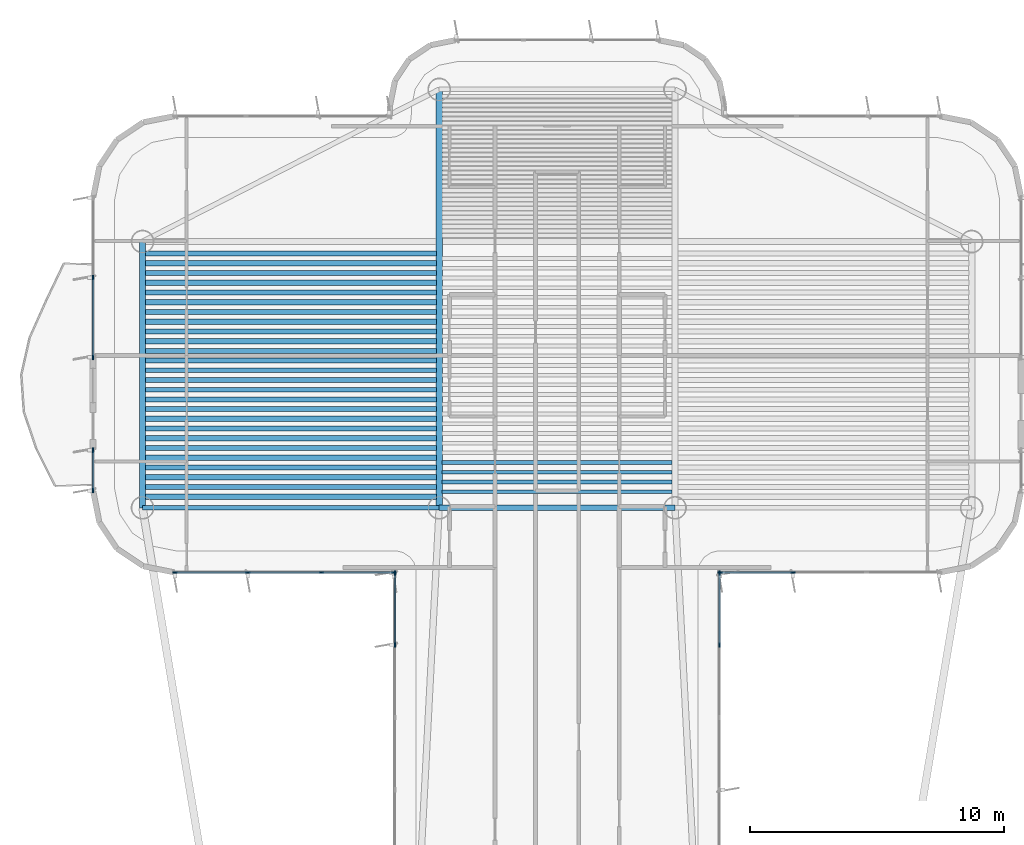
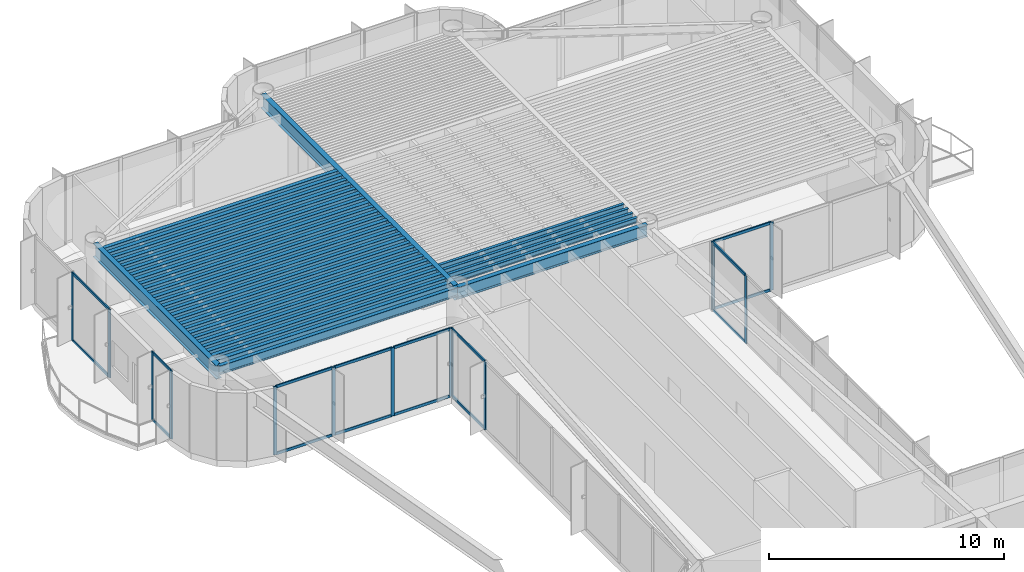
# One storey, part 5 of 16: 34 beams, 30 members, 6 elements without a shape of their own.
"""IFC4 building model written with IfcOpenShell, lengths in metres."""

from ifc_helpers import new_model, si_unit, direction, frame, origin, origin_2d, place, context, subcontext, project, spatial, rectangle, i_section, extrude, source, transform, mapped, material, layer, layer_set, material_profile, profile_set, type_object, element, aggregate, save


model = new_model("IFC4")

# Units and contexts
model_context = context("Model", 3, precision=1e-05, world=origin(), true_north=direction((0.0, 1.0)))
body_context = subcontext(model_context, "Body", "Model", "MODEL_VIEW")
ifc_project = project(units=[si_unit("LENGTHUNIT", "METRE"), si_unit("AREAUNIT", "SQUARE_METRE"), si_unit("VOLUMEUNIT", "CUBIC_METRE"), si_unit("PLANEANGLEUNIT", "RADIAN"), si_unit("MASSUNIT", "GRAM", prefix="KILO")], contexts=[model_context])

# Site, building, storey
site_placement = place(None, origin())
site = spatial("IfcSite", under=ifc_project, at=site_placement, CompositionType="ELEMENT")
building_placement = place(site_placement, origin())
building = spatial("IfcBuilding", under=site, at=building_placement, Name="Brelvock Crest Care Tower", CompositionType="ELEMENT")
storey_placement = place(building_placement, frame((0.0, 0.0, 223.02001953125)))
storey = spatial("IfcBuildingStorey", under=building, at=storey_placement, Name="L56", CompositionType="ELEMENT", Elevation=223.02001953125)

# Beams
ifc_material_1 = material(Name="Steel Grade 350", Category="steel")
ifc_material_profile_1 = material_profile(ifc_material_1, i_section(OverallWidth=0.25, OverallDepth=0.699951171875, WebThickness=0.011962890625, FlangeThickness=0.02001953125, at=origin_2d()), Name="700WB150")
ifc_profile_set_1 = profile_set([ifc_material_profile_1], Name="Steel Grade 350")
beam_type_1 = type_object("IfcBeamType", Name="BM-G4", PredefinedType="BEAM", material=ifc_profile_set_1)
shared_shape_1 = source(origin(), body_context, "Body", "SweptSolid", [
    extrude(i_section(OverallWidth=0.25, OverallDepth=0.699951171875, WebThickness=0.011962890625, FlangeThickness=0.02001953125, at=origin_2d()), origin(), (0.0, 0.0, 1.0), 10.5),
])
beam_1_placement = place(storey_placement, frame((19.64990234375, 43.949951171875, 3.179931640625), z_axis=(0.0, 1.0, 0.0), x_axis=(-1.0, 0.0, 0.0)))
element("IfcBeam", 1, at=beam_1_placement, inside=storey, type_object=beam_type_1, Name="BM-TWR-L56-01", PredefinedType="BEAM", context=body_context, shape_type="MappedRepresentation", body=[
    mapped(shared_shape_1, transform((0.0, 0.0, 0.0), x_axis=(1.0, 0.0, 0.0), y_axis=(0.0, 1.0, 0.0), z_axis=(0.0, 0.0, 1.0), scale=1.0)),
])
ifc_material_profile_2 = material_profile(ifc_material_1, i_section(OverallWidth=0.22900390625, OverallDepth=0.612060546875, WebThickness=0.011962890625, FlangeThickness=0.01953125, FilletRadius=0.013916015625, at=origin_2d()), Name="610UB125")
ifc_profile_set_2 = profile_set([ifc_material_profile_2], Name="Steel Grade 350")
beam_type_2 = type_object("IfcBeamType", Name="BM-G1", PredefinedType="BEAM", material=ifc_profile_set_2)
shared_shape_2 = source(origin(), body_context, "Body", "SweptSolid", [
    extrude(i_section(OverallWidth=0.22900390625, OverallDepth=0.612060546875, WebThickness=0.011962890625, FlangeThickness=0.01953125, FilletRadius=0.013916015625, at=origin_2d()), origin(), (0.0, 0.0, 1.0), 9.2998046875),
])
beam_2_placement = place(storey_placement, frame((31.35009765625, 43.949951171875, 3.223876953125), z_axis=(1.0, 0.0, 0.0), x_axis=(0.0, 1.0, 0.0)))
element("IfcBeam", 2, at=beam_2_placement, inside=storey, type_object=beam_type_2, Name="BM-TWR-L56-05", PredefinedType="BEAM", context=body_context, shape_type="MappedRepresentation", body=[
    mapped(shared_shape_2, transform((0.0, 0.0, 0.0), x_axis=(1.0, 0.0, 0.0), y_axis=(0.0, 1.0, 0.0), z_axis=(0.0, 0.0, 1.0), scale=1.0)),
])
ifc_material_profile_3 = material_profile(ifc_material_1, i_section(OverallWidth=0.14599609375, OverallDepth=0.256103515625, WebThickness=0.00634765625, FlangeThickness=0.010986328125, FilletRadius=0.0087890625, at=origin_2d()), Name="250UB37.3")
ifc_profile_set_3 = profile_set([ifc_material_profile_3], Name="Steel Grade 350")
beam_type_3 = type_object("IfcBeamType", Name="BM-J3", PredefinedType="JOIST", material=ifc_profile_set_3)
shared_shape_3 = source(origin(), body_context, "Body", "SweptSolid", [
    extrude(i_section(OverallWidth=0.14599609375, OverallDepth=0.256103515625, WebThickness=0.00634765625, FlangeThickness=0.010986328125, FilletRadius=0.0087890625, at=origin_2d()), origin(), (0.0, 0.0, 1.0), 9.06982421875),
])
for number, where, z_axis, x_axis, name in (
    (3, (31.465087890625, 44.58251953125, 3.402099609375), (1.0, 0.0, 0.0), (0.0, 1.0, 0.0), "BM-JH-L56-1"),
    (4, (31.465087890625, 44.9658203125, 3.402099609375), (1.0, 0.0, 0.0), (0.0, 1.0, 0.0), "BM-JH-L56-2"),
    (5, (31.465087890625, 45.34912109375, 3.402099609375), (1.0, 0.0, 0.0), (0.0, 1.0, 0.0), "BM-JH-L56-3"),
    (6, (31.465087890625, 45.732421875, 3.402099609375), (1.0, 0.0, 0.0), (0.0, 1.0, 0.0), "BM-JH-L56-4"),
):
    element("IfcBeam", number, at=place(storey_placement, frame(where, z_axis=z_axis, x_axis=x_axis)), inside=storey, type_object=beam_type_3, Name=name, PredefinedType="JOIST", context=body_context, shape_type="MappedRepresentation", body=[
        mapped(shared_shape_3, transform((0.0, 0.0, 0.0), x_axis=(1.0, 0.0, 0.0), y_axis=(0.0, 1.0, 0.0), z_axis=(0.0, 0.0, 1.0), scale=1.0)),
    ])
ifc_material_profile_4 = material_profile(ifc_material_1, i_section(OverallWidth=0.19091796875, OverallDepth=0.4599609375, WebThickness=0.010009765625, FlangeThickness=0.01611328125, FilletRadius=0.011474609375, at=origin_2d()), Name="460UB82.1")
ifc_profile_set_4 = profile_set([ifc_material_profile_4], Name="Steel Grade 350")
beam_type_4 = type_object("IfcBeamType", Name="BM-G3", PredefinedType="BEAM", material=ifc_profile_set_4)
shared_shape_4 = source(origin(), body_context, "Body", "SweptSolid", [
    extrude(i_section(OverallWidth=0.19091796875, OverallDepth=0.4599609375, WebThickness=0.010009765625, FlangeThickness=0.01611328125, FilletRadius=0.011474609375, at=origin_2d()), origin(), (0.0, 0.0, 1.0), 11.47021484375),
])
for number, where, z_axis, x_axis, name in (
    (7, (19.764892578125, 44.7744140625, 3.300048828125), (1.0, 0.0, 0.0), (0.0, 1.0, 0.0), "BM-JW-L56-2"),
    (8, (19.764892578125, 45.540771484375, 3.300048828125), (1.0, 0.0, 0.0), (0.0, 1.0, 0.0), "BM-JW-L56-4"),
    (9, (19.764892578125, 46.307373046875, 3.300048828125), (1.0, 0.0, 0.0), (0.0, 1.0, 0.0), "BM-JW-L56-6"),
    (10, (19.764892578125, 47.07373046875, 3.300048828125), (1.0, 0.0, 0.0), (0.0, 1.0, 0.0), "BM-JW-L56-8"),
    (11, (19.764892578125, 47.84033203125, 3.300048828125), (1.0, 0.0, 0.0), (0.0, 1.0, 0.0), "BM-JW-L56-10"),
    (12, (19.764892578125, 48.606689453125, 3.300048828125), (1.0, 0.0, 0.0), (0.0, 1.0, 0.0), "BM-JW-L56-12"),
    (13, (19.764892578125, 49.373291015625, 3.300048828125), (1.0, 0.0, 0.0), (0.0, 1.0, 0.0), "BM-JW-L56-14"),
    (14, (19.764892578125, 50.139892578125, 3.300048828125), (1.0, 0.0, 0.0), (0.0, 1.0, 0.0), "BM-JW-L56-16"),
    (15, (19.764892578125, 50.90625, 3.300048828125), (1.0, 0.0, 0.0), (0.0, 1.0, 0.0), "BM-JW-L56-18"),
    (16, (19.764892578125, 51.6728515625, 3.300048828125), (1.0, 0.0, 0.0), (0.0, 1.0, 0.0), "BM-JW-L56-20"),
    (17, (19.764892578125, 52.439208984375, 3.300048828125), (1.0, 0.0, 0.0), (0.0, 1.0, 0.0), "BM-JW-L56-22"),
    (18, (19.764892578125, 53.205810546875, 3.300048828125), (1.0, 0.0, 0.0), (0.0, 1.0, 0.0), "BM-JW-L56-24"),
    (19, (19.764892578125, 53.972412109375, 3.300048828125), (1.0, 0.0, 0.0), (0.0, 1.0, 0.0), "BM-JW-L56-26"),
):
    element("IfcBeam", number, at=place(storey_placement, frame(where, z_axis=z_axis, x_axis=x_axis)), inside=storey, type_object=beam_type_4, Name=name, PredefinedType="BEAM", context=body_context, shape_type="MappedRepresentation", body=[
        mapped(shared_shape_4, transform((0.0, 0.0, 0.0), x_axis=(1.0, 0.0, 0.0), y_axis=(0.0, 1.0, 0.0), z_axis=(0.0, 0.0, 1.0), scale=1.0)),
    ])
ifc_material_profile_5 = material_profile(ifc_material_1, i_section(OverallWidth=0.208984375, OverallDepth=0.532958984375, WebThickness=0.01025390625, FlangeThickness=0.015625, FilletRadius=0.013916015625, at=origin_2d()), Name="530UB92.4")
ifc_profile_set_5 = profile_set([ifc_material_profile_5], Name="Steel Grade 350")
beam_type_5 = type_object("IfcBeamType", Name="BM-G2", PredefinedType="BEAM", material=ifc_profile_set_5)
shared_shape_5 = source(origin(), body_context, "Body", "SweptSolid", [
    extrude(i_section(OverallWidth=0.208984375, OverallDepth=0.532958984375, WebThickness=0.01025390625, FlangeThickness=0.015625, FilletRadius=0.013916015625, at=origin_2d()), origin(), (0.0, 0.0, 1.0), 11.47021484375),
])
for number, where, z_axis, x_axis, name in (
    (20, (19.764892578125, 44.39111328125, 3.263427734375), (1.0, 0.0, 0.0), (0.0, 1.0, 0.0), "BM-JW-L56-1"),
    (21, (19.764892578125, 45.157470703125, 3.263427734375), (1.0, 0.0, 0.0), (0.0, 1.0, 0.0), "BM-JW-L56-3"),
    (22, (19.764892578125, 45.924072265625, 3.263427734375), (1.0, 0.0, 0.0), (0.0, 1.0, 0.0), "BM-JW-L56-5"),
    (23, (19.764892578125, 46.6904296875, 3.263427734375), (1.0, 0.0, 0.0), (0.0, 1.0, 0.0), "BM-JW-L56-7"),
    (24, (19.764892578125, 47.45703125, 3.263427734375), (1.0, 0.0, 0.0), (0.0, 1.0, 0.0), "BM-JW-L56-9"),
    (25, (19.764892578125, 48.223388671875, 3.263427734375), (1.0, 0.0, 0.0), (0.0, 1.0, 0.0), "BM-JW-L56-11"),
    (26, (19.764892578125, 48.989990234375, 3.263427734375), (1.0, 0.0, 0.0), (0.0, 1.0, 0.0), "BM-JW-L56-13"),
    (27, (19.764892578125, 49.756591796875, 3.263427734375), (1.0, 0.0, 0.0), (0.0, 1.0, 0.0), "BM-JW-L56-15"),
    (28, (19.764892578125, 50.52294921875, 3.263427734375), (1.0, 0.0, 0.0), (0.0, 1.0, 0.0), "BM-JW-L56-17"),
    (29, (19.764892578125, 51.28955078125, 3.263427734375), (1.0, 0.0, 0.0), (0.0, 1.0, 0.0), "BM-JW-L56-19"),
    (30, (19.764892578125, 52.055908203125, 3.263427734375), (1.0, 0.0, 0.0), (0.0, 1.0, 0.0), "BM-JW-L56-21"),
    (31, (19.764892578125, 52.822509765625, 3.263427734375), (1.0, 0.0, 0.0), (0.0, 1.0, 0.0), "BM-JW-L56-23"),
    (32, (19.764892578125, 53.589111328125, 3.263427734375), (1.0, 0.0, 0.0), (0.0, 1.0, 0.0), "BM-JW-L56-25"),
):
    element("IfcBeam", number, at=place(storey_placement, frame(where, z_axis=z_axis, x_axis=x_axis)), inside=storey, type_object=beam_type_5, Name=name, PredefinedType="BEAM", context=body_context, shape_type="MappedRepresentation", body=[
        mapped(shared_shape_5, transform((0.0, 0.0, 0.0), x_axis=(1.0, 0.0, 0.0), y_axis=(0.0, 1.0, 0.0), z_axis=(0.0, 0.0, 1.0), scale=1.0)),
    ])
ifc_material_profile_6 = material_profile(ifc_material_1, i_section(OverallWidth=0.19091796875, OverallDepth=0.4599609375, WebThickness=0.010009765625, FlangeThickness=0.01611328125, FilletRadius=0.011474609375, at=origin_2d()), Name="460UB82.1")
ifc_profile_set_6 = profile_set([ifc_material_profile_6], Name="Steel Grade 350")
beam_type_6 = type_object("IfcBeamType", Name="BM-SP2", PredefinedType="SPANDREL", material=ifc_profile_set_6)
shared_shape_6 = source(origin(), body_context, "Body", "SweptSolid", [
    extrude(i_section(OverallWidth=0.19091796875, OverallDepth=0.4599609375, WebThickness=0.010009765625, FlangeThickness=0.01611328125, FilletRadius=0.011474609375, at=origin_2d()), origin(), (0.0, 0.0, 1.0), 11.7001953125),
])
beam_3_placement = place(storey_placement, frame((19.64990234375, 43.949951171875, 3.300048828125), z_axis=(1.0, 0.0, 0.0), x_axis=(0.0, 1.0, 0.0)))
element("IfcBeam", 33, at=beam_3_placement, inside=storey, type_object=beam_type_6, Name="BM-TWR-L56-03", PredefinedType="SPANDREL", context=body_context, shape_type="MappedRepresentation", body=[
    mapped(shared_shape_6, transform((0.0, 0.0, 0.0), x_axis=(1.0, 0.0, 0.0), y_axis=(0.0, 1.0, 0.0), z_axis=(0.0, 0.0, 1.0), scale=1.0)),
])
shared_shape_7 = source(origin(), body_context, "Body", "SweptSolid", [
    extrude(i_section(OverallWidth=0.25, OverallDepth=0.699951171875, WebThickness=0.011962890625, FlangeThickness=0.02001953125, at=origin_2d()), origin(), (0.0, 0.0, 1.0), 16.5),
])
beam_4_placement = place(storey_placement, frame((31.35009765625, 43.949951171875, 3.179931640625), z_axis=(0.0, 1.0, 0.0), x_axis=(-1.0, 0.0, 0.0)))
element("IfcBeam", 34, at=beam_4_placement, inside=storey, type_object=beam_type_1, Name="BM-TWR-L56-09", PredefinedType="BEAM", context=body_context, shape_type="MappedRepresentation", body=[
    mapped(shared_shape_7, transform((0.0, 0.0, 0.0), x_axis=(1.0, 0.0, 0.0), y_axis=(0.0, 1.0, 0.0), z_axis=(0.0, 0.0, 1.0), scale=1.0)),
])

# Curtain wall, members
ifc_material_2 = material(Name="Dark Glass Double Glazed Low-E", Category="glass")
ifc_layer = layer(ifc_material_2, 0.239990234375, Name="CWS-5")
ifc_layer_set = layer_set([ifc_layer], Name="Dark Glass Double Glazed Low-E")
curtain_wall_type = type_object("IfcCurtainWallType", Name="CWS-5", PredefinedType="NOTDEFINED", material=ifc_layer_set)
curtain_wall_1_placement = place(storey_placement, origin())
curtain_wall_1 = element("IfcCurtainWall", 35, at=curtain_wall_1_placement, inside=storey, type_object=curtain_wall_type, Name="L56 Curtain Wall E11", PredefinedType="NOTDEFINED")
ifc_material_3 = material(Name="Aluminium 6063-T6", Category="aluminium")
ifc_material_profile_7 = material_profile(ifc_material_3, rectangle(XDim=0.06005859375, YDim=0.179931640625, at=origin_2d()), Name="ALU60x180")
ifc_profile_set_7 = profile_set([ifc_material_profile_7], Name="Aluminium 6063-T6")
member_type_1 = type_object("IfcMemberType", Name="CWM-2", PredefinedType="MULLION", material=ifc_profile_set_7)
shared_shape_8 = source(origin(), body_context, "Body", "SweptSolid", [
    extrude(rectangle(XDim=0.06005859375, YDim=0.179931640625, at=origin_2d()), origin(), (0.0, 0.0, 1.0), 3.530029296875),
])
member_1_placement = place(storey_placement, frame((29.60009765625, 38.54296875, 0.0), z_axis=(0.0, 0.0, 1.0), x_axis=(-1.0, 0.0, 0.0)))
member_1 = element("IfcMember", 36, at=member_1_placement, type_object=member_type_1, Name="CW-5 mullion 7", PredefinedType="MULLION", context=body_context, shape_type="MappedRepresentation", body=[
    mapped(shared_shape_8, transform((0.0, 0.0, 0.0), x_axis=(1.0, 0.0, 0.0), y_axis=(0.0, 1.0, 0.0), z_axis=(0.0, 0.0, 1.0), scale=1.0)),
])
member_2_placement = place(storey_placement, frame((29.60009765625, 41.3701171875, 0.0), z_axis=(0.0, 0.0, 1.0), x_axis=(-1.0, 0.0, 0.0)))
member_2 = element("IfcMember", 37, at=member_2_placement, type_object=member_type_1, Name="CW-5 mullion 8", PredefinedType="MULLION", context=body_context, shape_type="MappedRepresentation", body=[
    mapped(shared_shape_8, transform((0.0, 0.0, 0.0), x_axis=(1.0, 0.0, 0.0), y_axis=(0.0, 1.0, 0.0), z_axis=(0.0, 0.0, 1.0), scale=1.0)),
])

curtain_wall_2_placement = place(storey_placement, origin())
curtain_wall_2 = element("IfcCurtainWall", 38, at=curtain_wall_2_placement, inside=storey, type_object=curtain_wall_type, Name="L56 Curtain Wall E12", PredefinedType="NOTDEFINED")
member_3_placement = place(storey_placement, frame((29.570068359375, 41.39990234375, 0.0), z_axis=(0.0, 0.0, 1.0), x_axis=(0.0, -1.0, 0.0)))
member_3 = element("IfcMember", 39, at=member_3_placement, type_object=member_type_1, Name="CW-5 mullion 1", PredefinedType="MULLION", context=body_context, shape_type="MappedRepresentation", body=[
    mapped(shared_shape_8, transform((0.0, 0.0, 0.0), x_axis=(1.0, 0.0, 0.0), y_axis=(0.0, 1.0, 0.0), z_axis=(0.0, 0.0, 1.0), scale=1.0)),
])
member_4_placement = place(storey_placement, frame((26.699951171875, 41.39990234375, 0.0), z_axis=(0.0, 0.0, 1.0), x_axis=(0.0, -1.0, 0.0)))
member_4 = element("IfcMember", 40, at=member_4_placement, type_object=member_type_1, Name="CW-5 mullion 2", PredefinedType="MULLION", context=body_context, shape_type="MappedRepresentation", body=[
    mapped(shared_shape_8, transform((0.0, 0.0, 0.0), x_axis=(1.0, 0.0, 0.0), y_axis=(0.0, 1.0, 0.0), z_axis=(0.0, 0.0, 1.0), scale=1.0)),
])
member_5_placement = place(storey_placement, frame((23.800048828125, 41.39990234375, 0.0), z_axis=(0.0, 0.0, 1.0), x_axis=(0.0, -1.0, 0.0)))
member_5 = element("IfcMember", 41, at=member_5_placement, type_object=member_type_1, Name="CW-5 mullion 3", PredefinedType="MULLION", context=body_context, shape_type="MappedRepresentation", body=[
    mapped(shared_shape_8, transform((0.0, 0.0, 0.0), x_axis=(1.0, 0.0, 0.0), y_axis=(0.0, 1.0, 0.0), z_axis=(0.0, 0.0, 1.0), scale=1.0)),
])
member_6_placement = place(storey_placement, frame((20.929931640625, 41.39990234375, 0.0), z_axis=(0.0, 0.0, 1.0), x_axis=(0.0, -1.0, 0.0)))
member_6 = element("IfcMember", 42, at=member_6_placement, type_object=member_type_1, Name="CW-5 mullion 4", PredefinedType="MULLION", context=body_context, shape_type="MappedRepresentation", body=[
    mapped(shared_shape_8, transform((0.0, 0.0, 0.0), x_axis=(1.0, 0.0, 0.0), y_axis=(0.0, 1.0, 0.0), z_axis=(0.0, 0.0, 1.0), scale=1.0)),
])

curtain_wall_3_placement = place(storey_placement, origin())
curtain_wall_3 = element("IfcCurtainWall", 43, at=curtain_wall_3_placement, inside=storey, type_object=curtain_wall_type, Name="L56 Curtain Wall E17A", PredefinedType="NOTDEFINED")
member_7_placement = place(storey_placement, frame((17.699951171875, 44.6298828125, 0.0), z_axis=(0.0, 0.0, 1.0), x_axis=(-1.0, 0.0, 0.0)))
member_7 = element("IfcMember", 44, at=member_7_placement, type_object=member_type_1, Name="CW-5 mullion 1", PredefinedType="MULLION", context=body_context, shape_type="MappedRepresentation", body=[
    mapped(shared_shape_8, transform((0.0, 0.0, 0.0), x_axis=(1.0, 0.0, 0.0), y_axis=(0.0, 1.0, 0.0), z_axis=(0.0, 0.0, 1.0), scale=1.0)),
])
member_8_placement = place(storey_placement, frame((17.699951171875, 46.219970703125, 0.0), z_axis=(0.0, 0.0, 1.0), x_axis=(-1.0, 0.0, 0.0)))
member_8 = element("IfcMember", 45, at=member_8_placement, type_object=member_type_1, Name="CW-5 mullion 2", PredefinedType="MULLION", context=body_context, shape_type="MappedRepresentation", body=[
    mapped(shared_shape_8, transform((0.0, 0.0, 0.0), x_axis=(1.0, 0.0, 0.0), y_axis=(0.0, 1.0, 0.0), z_axis=(0.0, 0.0, 1.0), scale=1.0)),
])

curtain_wall_4_placement = place(storey_placement, origin())
curtain_wall_4 = element("IfcCurtainWall", 46, at=curtain_wall_4_placement, inside=storey, type_object=curtain_wall_type, Name="L56 Curtain Wall E17B", PredefinedType="NOTDEFINED")
member_9_placement = place(storey_placement, frame((17.699951171875, 49.8798828125, 0.0), z_axis=(0.0, 0.0, 1.0), x_axis=(-1.0, 0.0, 0.0)))
member_9 = element("IfcMember", 47, at=member_9_placement, type_object=member_type_1, Name="CW-5 mullion 1", PredefinedType="MULLION", context=body_context, shape_type="MappedRepresentation", body=[
    mapped(shared_shape_8, transform((0.0, 0.0, 0.0), x_axis=(1.0, 0.0, 0.0), y_axis=(0.0, 1.0, 0.0), z_axis=(0.0, 0.0, 1.0), scale=1.0)),
])
member_10_placement = place(storey_placement, frame((17.699951171875, 53.02490234375, 0.0), z_axis=(0.0, 0.0, 1.0), x_axis=(-1.0, 0.0, 0.0)))
member_10 = element("IfcMember", 48, at=member_10_placement, type_object=member_type_1, Name="CW-5 mullion 2", PredefinedType="MULLION", context=body_context, shape_type="MappedRepresentation", body=[
    mapped(shared_shape_8, transform((0.0, 0.0, 0.0), x_axis=(1.0, 0.0, 0.0), y_axis=(0.0, 1.0, 0.0), z_axis=(0.0, 0.0, 1.0), scale=1.0)),
])

curtain_wall_5_placement = place(storey_placement, origin())
curtain_wall_5 = element("IfcCurtainWall", 49, at=curtain_wall_5_placement, inside=storey, type_object=curtain_wall_type, Name="L56 Curtain Wall E44", PredefinedType="NOTDEFINED")
member_11_placement = place(storey_placement, frame((45.300048828125, 41.39990234375, 0.0), z_axis=(0.0, 0.0, 1.0), x_axis=(0.0, -1.0, 0.0)))
member_11 = element("IfcMember", 50, at=member_11_placement, type_object=member_type_1, Name="CW-5 mullion 3", PredefinedType="MULLION", context=body_context, shape_type="MappedRepresentation", body=[
    mapped(shared_shape_8, transform((0.0, 0.0, 0.0), x_axis=(1.0, 0.0, 0.0), y_axis=(0.0, 1.0, 0.0), z_axis=(0.0, 0.0, 1.0), scale=1.0)),
])
member_12_placement = place(storey_placement, frame((42.429931640625, 41.39990234375, 0.0), z_axis=(0.0, 0.0, 1.0), x_axis=(0.0, -1.0, 0.0)))
member_12 = element("IfcMember", 51, at=member_12_placement, type_object=member_type_1, Name="CW-5 mullion 4", PredefinedType="MULLION", context=body_context, shape_type="MappedRepresentation", body=[
    mapped(shared_shape_8, transform((0.0, 0.0, 0.0), x_axis=(1.0, 0.0, 0.0), y_axis=(0.0, 1.0, 0.0), z_axis=(0.0, 0.0, 1.0), scale=1.0)),
])

curtain_wall_6_placement = place(storey_placement, origin())
curtain_wall_6 = element("IfcCurtainWall", 52, at=curtain_wall_6_placement, inside=storey, type_object=curtain_wall_type, Name="L56 Curtain Wall E45", PredefinedType="NOTDEFINED")
member_13_placement = place(storey_placement, frame((42.39990234375, 41.3701171875, 0.0), z_axis=(0.0, 0.0, 1.0), x_axis=(1.0, 0.0, 0.0)))
member_13 = element("IfcMember", 53, at=member_13_placement, type_object=member_type_1, Name="CW-5 mullion 1", PredefinedType="MULLION", context=body_context, shape_type="MappedRepresentation", body=[
    mapped(shared_shape_8, transform((0.0, 0.0, 0.0), x_axis=(1.0, 0.0, 0.0), y_axis=(0.0, 1.0, 0.0), z_axis=(0.0, 0.0, 1.0), scale=1.0)),
])
member_14_placement = place(storey_placement, frame((42.39990234375, 38.54296875, 0.0), z_axis=(0.0, 0.0, 1.0), x_axis=(1.0, 0.0, 0.0)))
member_14 = element("IfcMember", 54, at=member_14_placement, type_object=member_type_1, Name="CW-5 mullion 2", PredefinedType="MULLION", context=body_context, shape_type="MappedRepresentation", body=[
    mapped(shared_shape_8, transform((0.0, 0.0, 0.0), x_axis=(1.0, 0.0, 0.0), y_axis=(0.0, 1.0, 0.0), z_axis=(0.0, 0.0, 1.0), scale=1.0)),
])

# Member
ifc_material_profile_8 = material_profile(ifc_material_3, rectangle(XDim=0.06005859375, YDim=0.139892578125, at=origin_2d()), Name="ALU60x140")
ifc_profile_set_8 = profile_set([ifc_material_profile_8], Name="Aluminium 6063-T6")
member_type_2 = type_object("IfcMemberType", Name="CWT-2", PredefinedType="USERDEFINED", material=ifc_profile_set_8)
shared_shape_9 = source(origin(), body_context, "Body", "SweptSolid", [
    extrude(rectangle(XDim=0.06005859375, YDim=0.139892578125, at=origin_2d()), origin(), (0.0, 0.0, 1.0), 1.530029296875),
])
member_15_placement = place(storey_placement, frame((17.699951171875, 44.659912109375, 0.030029296875), z_axis=(0.0, 1.0, 0.0), x_axis=(-1.0, 0.0, 0.0)))
member_15 = element("IfcMember", 55, at=member_15_placement, type_object=member_type_2, Name="CW-5 transom 1.1", ObjectType="TRANSOM", PredefinedType="USERDEFINED", context=body_context, shape_type="MappedRepresentation", body=[
    mapped(shared_shape_9, transform((0.0, 0.0, 0.0), x_axis=(1.0, 0.0, 0.0), y_axis=(0.0, 1.0, 0.0), z_axis=(0.0, 0.0, 1.0), scale=1.0)),
])

member_16_placement = place(storey_placement, frame((17.699951171875, 44.659912109375, 3.5), z_axis=(0.0, 1.0, 0.0), x_axis=(-1.0, 0.0, 0.0)))
member_16 = element("IfcMember", 56, at=member_16_placement, type_object=member_type_2, Name="CW-5 transom 1.2", ObjectType="TRANSOM", PredefinedType="USERDEFINED", context=body_context, shape_type="MappedRepresentation", body=[
    mapped(shared_shape_9, transform((0.0, 0.0, 0.0), x_axis=(1.0, 0.0, 0.0), y_axis=(0.0, 1.0, 0.0), z_axis=(0.0, 0.0, 1.0), scale=1.0)),
])

aggregate(curtain_wall_3, [member_7, member_8, member_15, member_16])

shared_shape_10 = source(origin(), body_context, "Body", "SweptSolid", [
    extrude(rectangle(XDim=0.06005859375, YDim=0.139892578125, at=origin_2d()), origin(), (0.0, 0.0, 1.0), 2.767333984375),
])
member_17_placement = place(storey_placement, frame((29.60009765625, 38.57275390625, 0.030029296875), z_axis=(0.0, 1.0, 0.0), x_axis=(-1.0, 0.0, 0.0)))
member_17 = element("IfcMember", 57, at=member_17_placement, type_object=member_type_2, Name="CW-5 transom 7.1", ObjectType="TRANSOM", PredefinedType="USERDEFINED", context=body_context, shape_type="MappedRepresentation", body=[
    mapped(shared_shape_10, transform((0.0, 0.0, 0.0), x_axis=(1.0, 0.0, 0.0), y_axis=(0.0, 1.0, 0.0), z_axis=(0.0, 0.0, 1.0), scale=1.0)),
])

member_18_placement = place(storey_placement, frame((29.60009765625, 38.57275390625, 3.5), z_axis=(0.0, 1.0, 0.0), x_axis=(-1.0, 0.0, 0.0)))
member_18 = element("IfcMember", 58, at=member_18_placement, type_object=member_type_2, Name="CW-5 transom 7.2", ObjectType="TRANSOM", PredefinedType="USERDEFINED", context=body_context, shape_type="MappedRepresentation", body=[
    mapped(shared_shape_10, transform((0.0, 0.0, 0.0), x_axis=(1.0, 0.0, 0.0), y_axis=(0.0, 1.0, 0.0), z_axis=(0.0, 0.0, 1.0), scale=1.0)),
])

aggregate(curtain_wall_1, [member_1, member_2, member_17, member_18])

member_19_placement = place(storey_placement, frame((42.39990234375, 41.340087890625, 0.030029296875), z_axis=(0.0, -1.0, 0.0), x_axis=(1.0, 0.0, 0.0)))
member_19 = element("IfcMember", 59, at=member_19_placement, type_object=member_type_2, Name="CW-5 transom 1.1", ObjectType="TRANSOM", PredefinedType="USERDEFINED", context=body_context, shape_type="MappedRepresentation", body=[
    mapped(shared_shape_10, transform((0.0, 0.0, 0.0), x_axis=(1.0, 0.0, 0.0), y_axis=(0.0, 1.0, 0.0), z_axis=(0.0, 0.0, 1.0), scale=1.0)),
])

member_20_placement = place(storey_placement, frame((42.39990234375, 41.340087890625, 3.5), z_axis=(0.0, -1.0, 0.0), x_axis=(1.0, 0.0, 0.0)))
member_20 = element("IfcMember", 60, at=member_20_placement, type_object=member_type_2, Name="CW-5 transom 1.2", ObjectType="TRANSOM", PredefinedType="USERDEFINED", context=body_context, shape_type="MappedRepresentation", body=[
    mapped(shared_shape_10, transform((0.0, 0.0, 0.0), x_axis=(1.0, 0.0, 0.0), y_axis=(0.0, 1.0, 0.0), z_axis=(0.0, 0.0, 1.0), scale=1.0)),
])

aggregate(curtain_wall_6, [member_13, member_14, member_19, member_20])

shared_shape_11 = source(origin(), body_context, "Body", "SweptSolid", [
    extrude(rectangle(XDim=0.06005859375, YDim=0.139892578125, at=origin_2d()), origin(), (0.0, 0.0, 1.0), 2.81005859375),
])
member_21_placement = place(storey_placement, frame((29.5400390625, 41.39990234375, 0.030029296875), z_axis=(-1.0, 0.0, 0.0), x_axis=(0.0, -1.0, 0.0)))
member_21 = element("IfcMember", 61, at=member_21_placement, type_object=member_type_2, Name="CW-5 transom 1.1", ObjectType="TRANSOM", PredefinedType="USERDEFINED", context=body_context, shape_type="MappedRepresentation", body=[
    mapped(shared_shape_11, transform((0.0, 0.0, 0.0), x_axis=(1.0, 0.0, 0.0), y_axis=(0.0, 1.0, 0.0), z_axis=(0.0, 0.0, 1.0), scale=1.0)),
])

member_22_placement = place(storey_placement, frame((29.5400390625, 41.39990234375, 3.5), z_axis=(-1.0, 0.0, 0.0), x_axis=(0.0, -1.0, 0.0)))
member_22 = element("IfcMember", 62, at=member_22_placement, type_object=member_type_2, Name="CW-5 transom 1.2", ObjectType="TRANSOM", PredefinedType="USERDEFINED", context=body_context, shape_type="MappedRepresentation", body=[
    mapped(shared_shape_11, transform((0.0, 0.0, 0.0), x_axis=(1.0, 0.0, 0.0), y_axis=(0.0, 1.0, 0.0), z_axis=(0.0, 0.0, 1.0), scale=1.0)),
])

member_23_placement = place(storey_placement, frame((23.77001953125, 41.39990234375, 0.030029296875), z_axis=(-1.0, 0.0, 0.0), x_axis=(0.0, -1.0, 0.0)))
member_23 = element("IfcMember", 63, at=member_23_placement, type_object=member_type_2, Name="CW-5 transom 3.1", ObjectType="TRANSOM", PredefinedType="USERDEFINED", context=body_context, shape_type="MappedRepresentation", body=[
    mapped(shared_shape_11, transform((0.0, 0.0, 0.0), x_axis=(1.0, 0.0, 0.0), y_axis=(0.0, 1.0, 0.0), z_axis=(0.0, 0.0, 1.0), scale=1.0)),
])

member_24_placement = place(storey_placement, frame((23.77001953125, 41.39990234375, 3.5), z_axis=(-1.0, 0.0, 0.0), x_axis=(0.0, -1.0, 0.0)))
member_24 = element("IfcMember", 64, at=member_24_placement, type_object=member_type_2, Name="CW-5 transom 3.2", ObjectType="TRANSOM", PredefinedType="USERDEFINED", context=body_context, shape_type="MappedRepresentation", body=[
    mapped(shared_shape_11, transform((0.0, 0.0, 0.0), x_axis=(1.0, 0.0, 0.0), y_axis=(0.0, 1.0, 0.0), z_axis=(0.0, 0.0, 1.0), scale=1.0)),
])

member_25_placement = place(storey_placement, frame((45.27001953125, 41.39990234375, 0.030029296875), z_axis=(-1.0, 0.0, 0.0), x_axis=(0.0, -1.0, 0.0)))
member_25 = element("IfcMember", 65, at=member_25_placement, type_object=member_type_2, Name="CW-5 transom 3.1", ObjectType="TRANSOM", PredefinedType="USERDEFINED", context=body_context, shape_type="MappedRepresentation", body=[
    mapped(shared_shape_11, transform((0.0, 0.0, 0.0), x_axis=(1.0, 0.0, 0.0), y_axis=(0.0, 1.0, 0.0), z_axis=(0.0, 0.0, 1.0), scale=1.0)),
])

member_26_placement = place(storey_placement, frame((45.27001953125, 41.39990234375, 3.5), z_axis=(-1.0, 0.0, 0.0), x_axis=(0.0, -1.0, 0.0)))
member_26 = element("IfcMember", 66, at=member_26_placement, type_object=member_type_2, Name="CW-5 transom 3.2", ObjectType="TRANSOM", PredefinedType="USERDEFINED", context=body_context, shape_type="MappedRepresentation", body=[
    mapped(shared_shape_11, transform((0.0, 0.0, 0.0), x_axis=(1.0, 0.0, 0.0), y_axis=(0.0, 1.0, 0.0), z_axis=(0.0, 0.0, 1.0), scale=1.0)),
])

aggregate(curtain_wall_5, [member_11, member_12, member_25, member_26])

shared_shape_12 = source(origin(), body_context, "Body", "SweptSolid", [
    extrude(rectangle(XDim=0.06005859375, YDim=0.139892578125, at=origin_2d()), origin(), (0.0, 0.0, 1.0), 2.83984375),
])
member_27_placement = place(storey_placement, frame((26.669921875, 41.39990234375, 0.030029296875), z_axis=(-1.0, 0.0, 0.0), x_axis=(0.0, -1.0, 0.0)))
member_27 = element("IfcMember", 67, at=member_27_placement, type_object=member_type_2, Name="CW-5 transom 2.1", ObjectType="TRANSOM", PredefinedType="USERDEFINED", context=body_context, shape_type="MappedRepresentation", body=[
    mapped(shared_shape_12, transform((0.0, 0.0, 0.0), x_axis=(1.0, 0.0, 0.0), y_axis=(0.0, 1.0, 0.0), z_axis=(0.0, 0.0, 1.0), scale=1.0)),
])

member_28_placement = place(storey_placement, frame((26.669921875, 41.39990234375, 3.5), z_axis=(-1.0, 0.0, 0.0), x_axis=(0.0, -1.0, 0.0)))
member_28 = element("IfcMember", 68, at=member_28_placement, type_object=member_type_2, Name="CW-5 transom 2.2", ObjectType="TRANSOM", PredefinedType="USERDEFINED", context=body_context, shape_type="MappedRepresentation", body=[
    mapped(shared_shape_12, transform((0.0, 0.0, 0.0), x_axis=(1.0, 0.0, 0.0), y_axis=(0.0, 1.0, 0.0), z_axis=(0.0, 0.0, 1.0), scale=1.0)),
])

aggregate(curtain_wall_2, [member_3, member_4, member_5, member_6, member_21, member_22, member_27, member_28, member_23, member_24])

shared_shape_13 = source(origin(), body_context, "Body", "SweptSolid", [
    extrude(rectangle(XDim=0.06005859375, YDim=0.139892578125, at=origin_2d()), origin(), (0.0, 0.0, 1.0), 3.085205078125),
])
member_29_placement = place(storey_placement, frame((17.699951171875, 49.909912109375, 0.030029296875), z_axis=(0.0, 1.0, 0.0), x_axis=(-1.0, 0.0, 0.0)))
member_29 = element("IfcMember", 69, at=member_29_placement, type_object=member_type_2, Name="CW-5 transom 1.1", ObjectType="TRANSOM", PredefinedType="USERDEFINED", context=body_context, shape_type="MappedRepresentation", body=[
    mapped(shared_shape_13, transform((0.0, 0.0, 0.0), x_axis=(1.0, 0.0, 0.0), y_axis=(0.0, 1.0, 0.0), z_axis=(0.0, 0.0, 1.0), scale=1.0)),
])

member_30_placement = place(storey_placement, frame((17.699951171875, 49.909912109375, 3.5), z_axis=(0.0, 1.0, 0.0), x_axis=(-1.0, 0.0, 0.0)))
member_30 = element("IfcMember", 70, at=member_30_placement, type_object=member_type_2, Name="CW-5 transom 1.2", ObjectType="TRANSOM", PredefinedType="USERDEFINED", context=body_context, shape_type="MappedRepresentation", body=[
    mapped(shared_shape_13, transform((0.0, 0.0, 0.0), x_axis=(1.0, 0.0, 0.0), y_axis=(0.0, 1.0, 0.0), z_axis=(0.0, 0.0, 1.0), scale=1.0)),
])

aggregate(curtain_wall_4, [member_9, member_10, member_29, member_30])

save(model, "model.ifc")
